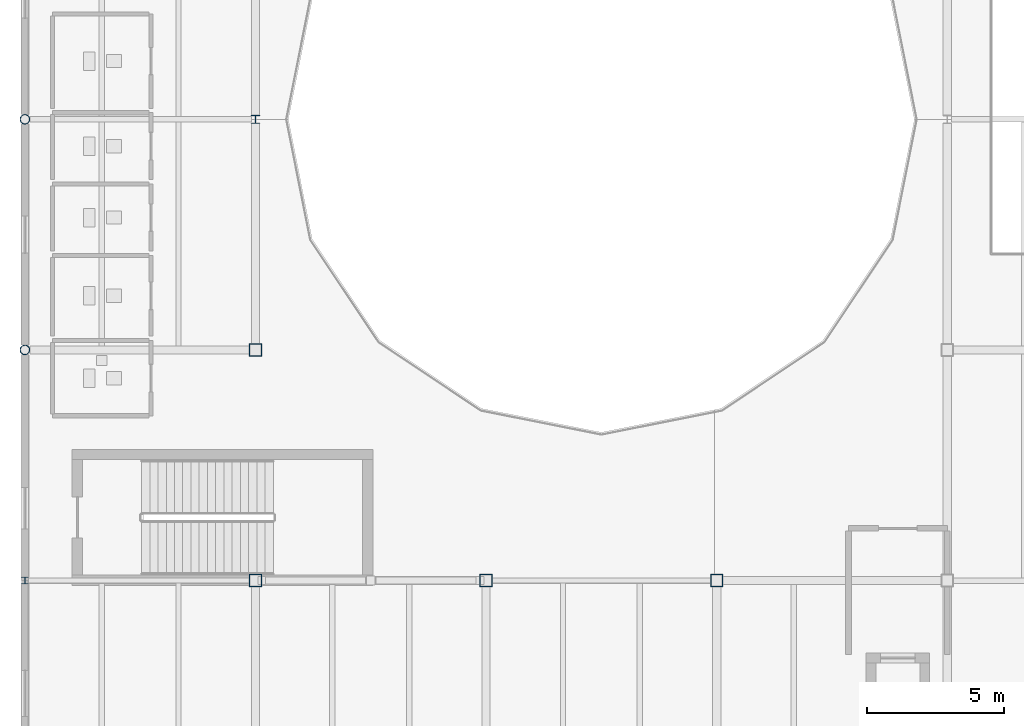
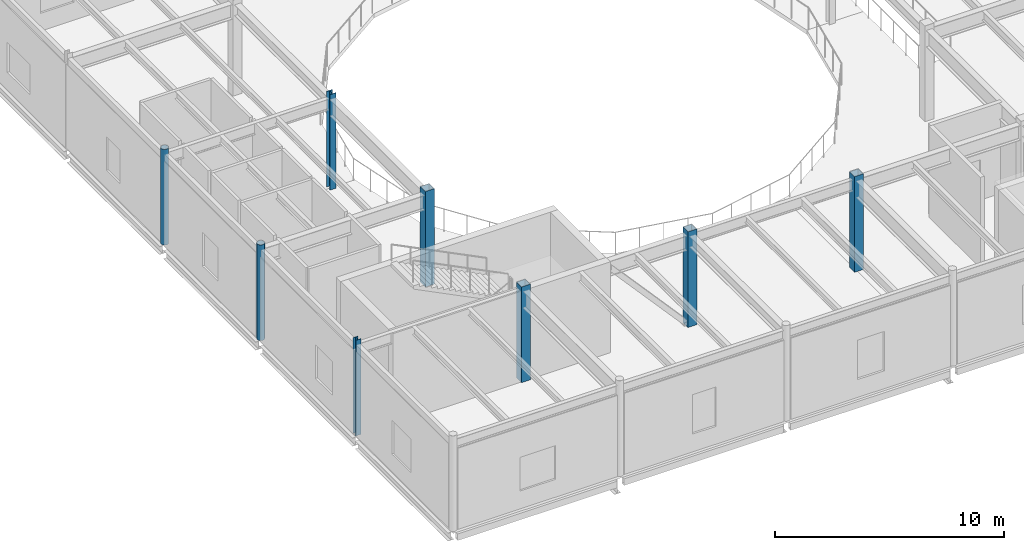
# One storey, part 3 of 57: 8 columns.
"""IFC4 building model written with IfcOpenShell, lengths in metres."""

from ifc_helpers import new_model, si_unit, direction, frame, origin, origin_2d, place, context, subcontext, project, spatial, hollow_rectangle, hollow_circle, i_section, extrude, material, material_profile, profile_set, type_object, element, save


model = new_model("IFC4")

# Units and contexts
model_context = context("Model", 3, precision=1e-05, world=origin(), true_north=direction((0.0, 1.0)))
body_context = subcontext(model_context, "Body", "Model", "MODEL_VIEW")
ifc_project = project(units=[si_unit("LENGTHUNIT", "METRE"), si_unit("AREAUNIT", "SQUARE_METRE"), si_unit("VOLUMEUNIT", "CUBIC_METRE"), si_unit("PLANEANGLEUNIT", "RADIAN"), si_unit("MASSUNIT", "GRAM", prefix="KILO"), si_unit("THERMODYNAMICTEMPERATUREUNIT", "KELVIN")], contexts=[model_context])

# Site, building, storey
site_placement = place(None, origin())
site = spatial("IfcSite", under=ifc_project, at=site_placement, CompositionType="ELEMENT")
building_placement = place(site_placement, origin())
building = spatial("IfcBuilding", under=site, at=building_placement, Name="Lustrewick Department Store", CompositionType="ELEMENT")
storey_placement = place(building_placement, frame((0.0, 0.0, 26.699951171875)))
storey = spatial("IfcBuildingStorey", under=building, at=storey_placement, Name="L06", CompositionType="ELEMENT", Elevation=26.699951171875)

# Columns
ifc_material = material(Name="Structural steel Q355B", Category="steel")
ifc_material_profile_1 = material_profile(ifc_material, hollow_rectangle(XDim=0.449951171875, YDim=0.449951171875, WallThickness=0.01806640625, at=origin_2d()), Name="BOX 450x450x18")
ifc_profile_set_1 = profile_set([ifc_material_profile_1], Name="Structural steel Q355B")
column_type_1 = type_object("IfcColumnType", Name="C07", PredefinedType="COLUMN", material=ifc_profile_set_1)
for number, where, z_axis, x_axis, name in (
    (1, (16.800048828125, 50.39990234375, 0.0), (0.0, 0.0, 1.0), (1.0, 0.0, 0.0), "L06 V1 Column C07"),
    (2, (16.800048828125, 58.800048828125, 0.0), (0.0, 0.0, 1.0), (1.0, 0.0, 0.0), "L06 V1 Column C07"),
    (3, (25.199951171875, 50.39990234375, 0.0), (0.0, 0.0, 1.0), (1.0, 0.0, 0.0), "L06 V1 Column C07"),
    (4, (33.60009765625, 50.39990234375, 0.0), (0.0, 0.0, 1.0), (1.0, 0.0, 0.0), "L06 V1 Column C07"),
):
    element("IfcColumn", number, at=place(storey_placement, frame(where, z_axis=z_axis, x_axis=x_axis)), inside=storey, type_object=column_type_1, Name=name, PredefinedType="COLUMN", context=body_context, shape_type="SweptSolid", body=[
        extrude(hollow_rectangle(XDim=0.449951171875, YDim=0.449951171875, WallThickness=0.01806640625, at=origin_2d()), origin(), (0.0, 0.0, 1.0), 5.10009765625),
    ])
ifc_material_profile_2 = material_profile(ifc_material, i_section(OverallWidth=0.300048828125, OverallDepth=0.300048828125, WebThickness=0.010009765625, FlangeThickness=0.014892578125, FilletRadius=0.01806640625, at=origin_2d()), Name="HW 300x300x10x15")
ifc_profile_set_2 = profile_set([ifc_material_profile_2], Name="Structural steel Q355B")
column_type_2 = type_object("IfcColumnType", Name="C15", PredefinedType="COLUMN", material=ifc_profile_set_2)
column_1_placement = place(storey_placement, frame((16.800048828125, 67.199951171875, 0.0), z_axis=(0.0, 0.0, 1.0), x_axis=(1.0, 0.0, 0.0)))
element("IfcColumn", 5, at=column_1_placement, inside=storey, type_object=column_type_2, Name="L06 V1 Column C15", PredefinedType="COLUMN", context=body_context, shape_type="SweptSolid", body=[
    extrude(i_section(OverallWidth=0.300048828125, OverallDepth=0.300048828125, WebThickness=0.010009765625, FlangeThickness=0.014892578125, FilletRadius=0.01806640625, at=origin_2d()), origin(), (0.0, 0.0, 1.0), 5.10009765625),
])
ifc_material_profile_3 = material_profile(ifc_material, hollow_circle(Radius=0.177978515625, WallThickness=0.013916015625, at=origin_2d()), Name="CHS 356x14")
ifc_profile_set_3 = profile_set([ifc_material_profile_3], Name="Structural steel Q355B")
column_type_3 = type_object("IfcColumnType", Name="CE05", PredefinedType="COLUMN", material=ifc_profile_set_3)
for number, where, z_axis, x_axis, name in (
    (6, (8.39990234375, 58.800048828125, 0.0), (0.0, 0.0, 1.0), (1.0, 0.0, 0.0), "L06 V1 Column CE05"),
    (7, (8.39990234375, 67.199951171875, 0.0), (0.0, 0.0, 1.0), (1.0, 0.0, 0.0), "L06 V1 Column CE05"),
):
    element("IfcColumn", number, at=place(storey_placement, frame(where, z_axis=z_axis, x_axis=x_axis)), inside=storey, type_object=column_type_3, Name=name, PredefinedType="COLUMN", context=body_context, shape_type="SweptSolid", body=[
        extrude(hollow_circle(Radius=0.177978515625, WallThickness=0.013916015625, at=origin_2d()), origin(), (0.0, 0.0, 1.0), 5.10009765625),
    ])
ifc_material_profile_4 = material_profile(ifc_material, i_section(OverallWidth=0.25, OverallDepth=0.25, WebThickness=0.009033203125, FlangeThickness=0.013916015625, FilletRadius=0.01611328125, at=origin_2d()), Name="HW 250x250x9x14")
ifc_profile_set_4 = profile_set([ifc_material_profile_4], Name="Structural steel Q355B")
column_type_4 = type_object("IfcColumnType", Name="CE08", PredefinedType="COLUMN", material=ifc_profile_set_4)
column_2_placement = place(storey_placement, frame((8.39990234375, 50.39990234375, 0.0), z_axis=(0.0, 0.0, 1.0), x_axis=(1.0, 0.0, 0.0)))
element("IfcColumn", 8, at=column_2_placement, inside=storey, type_object=column_type_4, Name="L06 V1 Column CE08", PredefinedType="COLUMN", context=body_context, shape_type="SweptSolid", body=[
    extrude(i_section(OverallWidth=0.25, OverallDepth=0.25, WebThickness=0.009033203125, FlangeThickness=0.013916015625, FilletRadius=0.01611328125, at=origin_2d()), origin(), (0.0, 0.0, 1.0), 5.10009765625),
])

save(model, "model.ifc")
